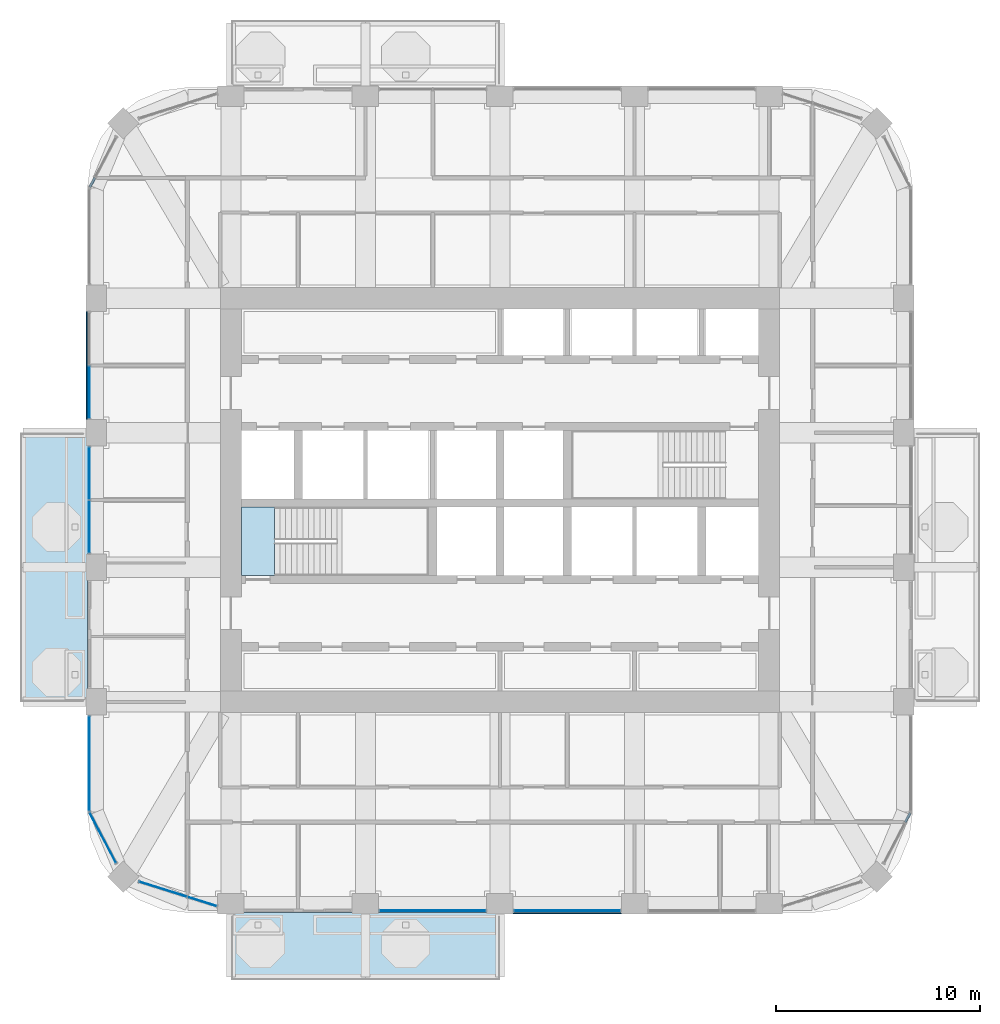
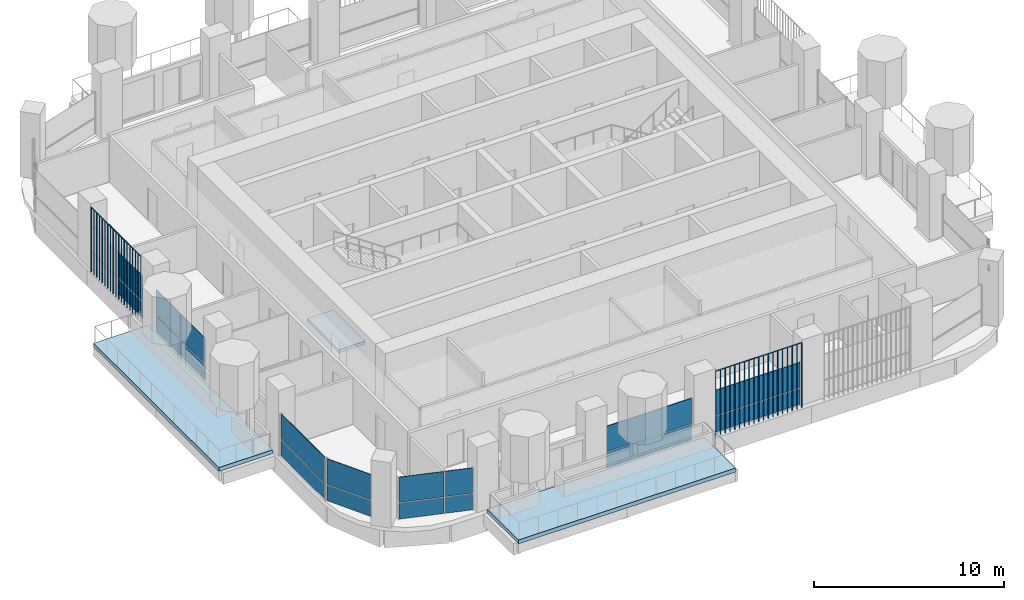
# One storey, part 7 of 19: 20 plates, 3 slabs, 2 members, 10 elements without a shape of their own.
"""IFC4 building model written with IfcOpenShell, lengths in metres."""

from ifc_helpers import new_model, si_unit, direction, frame, origin, origin_2d, place, context, subcontext, project, spatial, polyline, rectangle, outline, extrude, material, layer, layer_set, material_profile, profile_set, type_object, element, aggregate, save


model = new_model("IFC4")

# Units and contexts
model_context = context("Model", 3, precision=1e-05, world=origin(), true_north=direction((0.0, 1.0)))
body_context = subcontext(model_context, "Body", "Model", "MODEL_VIEW")
ifc_project = project(units=[si_unit("LENGTHUNIT", "METRE"), si_unit("AREAUNIT", "SQUARE_METRE"), si_unit("VOLUMEUNIT", "CUBIC_METRE"), si_unit("PLANEANGLEUNIT", "RADIAN"), si_unit("MASSUNIT", "GRAM", prefix="KILO")], contexts=[model_context])

# Site, building, storey
site_placement = place(None, origin())
site = spatial("IfcSite", under=ifc_project, at=site_placement, CompositionType="ELEMENT")
building_placement = place(site_placement, origin())
building = spatial("IfcBuilding", under=site, at=building_placement, Name="Cobogo Forest Laboratory Tower", CompositionType="ELEMENT")
storey_placement = place(building_placement, frame((0.0, 0.0, 237.60009765625)))
storey = spatial("IfcBuildingStorey", under=building, at=storey_placement, Name="L54", CompositionType="ELEMENT", Elevation=237.60009765625)

# Curtain wall, member
ifc_material_1 = material(Name="Aluminium curtain wall", Category="aluminium")
curtain_wall_type = type_object("IfcCurtainWallType", Name="CW-2 unitised curtain wall, solar control glazing, laboratory floors zones C and D", PredefinedType="USERDEFINED", material=ifc_material_1)
curtain_wall_1_placement = place(storey_placement, origin())
curtain_wall_1 = element("IfcCurtainWall", 1, at=curtain_wall_1_placement, inside=storey, type_object=curtain_wall_type, Name="Curtain wall 06 L54", ObjectType="UNITISED CURTAIN WALL", PredefinedType="USERDEFINED")
ifc_material_2 = material(Name="Aluminium transom", Category="aluminium")
ifc_material_profile = material_profile(ifc_material_2, rectangle(XDim=0.1201171875, YDim=0.06005859375, at=origin_2d()), Name="AL 60x120")
ifc_profile_set = profile_set([ifc_material_profile], Name="Aluminium transom")
member_type = type_object("IfcMemberType", Name="TR-1 aluminium transom 60x120", PredefinedType="USERDEFINED", material=ifc_profile_set)
member_1_placement = place(storey_placement, frame((46.282470703125, 7.289306640625, 1.0498046875), z_axis=(0.46414828098, 0.885757513806, 0.0), x_axis=(-0.885757513806, 0.46414828098, 0.0)))
member_1 = element("IfcMember", 2, at=member_1_placement, type_object=member_type, Name="CW-2 transom 2.1", ObjectType="TRANSOM", PredefinedType="USERDEFINED", context=body_context, shape_type="SweptSolid", body=[
    extrude(rectangle(XDim=0.1201171875, YDim=0.06005859375, at=origin_2d()), origin(), (0.0, 0.0, 1.0), 0.5166015625),
])
aggregate(curtain_wall_1, [member_1])

curtain_wall_2_placement = place(storey_placement, origin())
curtain_wall_2 = element("IfcCurtainWall", 3, at=curtain_wall_2_placement, inside=storey, type_object=curtain_wall_type, Name="Curtain wall 19 L54", ObjectType="UNITISED CURTAIN WALL", PredefinedType="USERDEFINED")
member_2_placement = place(storey_placement, frame((6.517578125, 38.91064453125, 1.0498046875), z_axis=(-0.46414828098, -0.885757513806, 0.0), x_axis=(0.885757513806, -0.46414828098, 0.0)))
member_2 = element("IfcMember", 4, at=member_2_placement, type_object=member_type, Name="CW-2 transom 2.1", ObjectType="TRANSOM", PredefinedType="USERDEFINED", context=body_context, shape_type="SweptSolid", body=[
    extrude(rectangle(XDim=0.1201171875, YDim=0.06005859375, at=origin_2d()), origin(), (0.0, 0.0, 1.0), 0.5166015625),
])
aggregate(curtain_wall_2, [member_2])

# Slabs
ifc_material_3 = material(Name="Concrete HA-40 (C40/50)", Category="concrete")
ifc_layer_1 = layer(ifc_material_3, 0.25)
ifc_layer_set_1 = layer_set([ifc_layer_1], Name="Balcony slab 250")
slab_type_1 = type_object("IfcSlabType", Name="Balcony slab 250", PredefinedType="FLOOR", material=ifc_layer_set_1)
slab_1_placement = place(storey_placement, frame((0.0, 0.0, -0.25)))
element("IfcSlab", 5, at=slab_1_placement, inside=storey, type_object=slab_type_1, Name="Balcony BAL-S1 L54", PredefinedType="FLOOR", context=body_context, shape_type="SweptSolid", body=[
    extrude(outline(polyline([(13.199951171875, -0.449951171875), (26.39990234375, -0.449951171875), (26.39990234375, 2.85009765625), (13.199951171875, 2.85009765625), (13.199951171875, -0.449951171875)])), origin(), (0.0, 0.0, 1.0), 0.25),
])
slab_2_placement = place(storey_placement, frame((0.0, 0.0, -0.25)))
element("IfcSlab", 6, at=slab_2_placement, inside=storey, type_object=slab_type_1, Name="Balcony BAL-W1 L54", PredefinedType="FLOOR", context=body_context, shape_type="SweptSolid", body=[
    extrude(outline(polyline([(2.85009765625, 13.199951171875), (6.14990234375, 13.199951171875), (6.14990234375, 26.39990234375), (2.85009765625, 26.39990234375), (2.85009765625, 13.199951171875)])), origin(), (0.0, 0.0, 1.0), 0.25),
])

# Curtain wall, plates
curtain_wall_3_placement = place(storey_placement, origin())
curtain_wall_3 = element("IfcCurtainWall", 7, at=curtain_wall_3_placement, inside=storey, type_object=curtain_wall_type, Name="Curtain wall 02 L54", ObjectType="UNITISED CURTAIN WALL", PredefinedType="USERDEFINED")
ifc_material_4 = material(Name="Solar control insulated glass", Category="glass")
ifc_layer_2 = layer(ifc_material_4, 0.031982421875)
ifc_layer_set_2 = layer_set([ifc_layer_2], Name="GP-2 solar control glass unit 32")
plate_type_1 = type_object("IfcPlateType", Name="GP-2 solar control glass unit 32", PredefinedType="CURTAIN_PANEL", material=ifc_layer_set_2)
plate_1_placement = place(storey_placement, frame((23.10009765625, 2.949951171875, 0.0), z_axis=(0.0, 0.0, 1.0), x_axis=(1.0, 0.0, 0.0)))
plate_1 = element("IfcPlate", 8, at=plate_1_placement, type_object=plate_type_1, Name="CW-2 panel 1.1", PredefinedType="CURTAIN_PANEL", context=body_context, shape_type="SweptSolid", body=[
    extrude(rectangle(XDim=5.179931640625, YDim=0.031982421875, at=origin_2d()), origin(), (0.0, 0.0, 1.0), 1.02001953125),
])
plate_2_placement = place(storey_placement, frame((23.10009765625, 2.949951171875, 1.079833984375), z_axis=(0.0, 0.0, 1.0), x_axis=(1.0, 0.0, 0.0)))
plate_2 = element("IfcPlate", 9, at=plate_2_placement, type_object=plate_type_1, Name="CW-2 panel 1.2", PredefinedType="CURTAIN_PANEL", context=body_context, shape_type="SweptSolid", body=[
    extrude(rectangle(XDim=5.179931640625, YDim=0.031982421875, at=origin_2d()), origin(), (0.0, 0.0, 1.0), 1.6201171875),
])
aggregate(curtain_wall_3, [plate_1, plate_2])

curtain_wall_4_placement = place(storey_placement, origin())
curtain_wall_4 = element("IfcCurtainWall", 10, at=curtain_wall_4_placement, inside=storey, type_object=curtain_wall_type, Name="Curtain wall 03 L54", ObjectType="UNITISED CURTAIN WALL", PredefinedType="USERDEFINED")
plate_3_placement = place(storey_placement, frame((29.699951171875, 2.949951171875, 0.0), z_axis=(0.0, 0.0, 1.0), x_axis=(1.0, 0.0, 0.0)))
plate_3 = element("IfcPlate", 11, at=plate_3_placement, type_object=plate_type_1, Name="CW-2 panel 1.1", PredefinedType="CURTAIN_PANEL", context=body_context, shape_type="SweptSolid", body=[
    extrude(rectangle(XDim=5.179931640625, YDim=0.031982421875, at=origin_2d()), origin(), (0.0, 0.0, 1.0), 1.02001953125),
])
plate_4_placement = place(storey_placement, frame((29.699951171875, 2.949951171875, 1.079833984375), z_axis=(0.0, 0.0, 1.0), x_axis=(1.0, 0.0, 0.0)))
plate_4 = element("IfcPlate", 12, at=plate_4_placement, type_object=plate_type_1, Name="CW-2 panel 1.2", PredefinedType="CURTAIN_PANEL", context=body_context, shape_type="SweptSolid", body=[
    extrude(rectangle(XDim=5.179931640625, YDim=0.031982421875, at=origin_2d()), origin(), (0.0, 0.0, 1.0), 1.6201171875),
])
aggregate(curtain_wall_4, [plate_3, plate_4])

curtain_wall_5_placement = place(storey_placement, origin())
curtain_wall_5 = element("IfcCurtainWall", 13, at=curtain_wall_5_placement, inside=storey, type_object=curtain_wall_type, Name="Curtain wall 21 L54", ObjectType="UNITISED CURTAIN WALL", PredefinedType="USERDEFINED")
plate_5_placement = place(storey_placement, frame((6.25, 28.389892578125, 0.0), z_axis=(0.0, 0.0, 1.0), x_axis=(0.0, -1.0, 0.0)))
plate_5 = element("IfcPlate", 14, at=plate_5_placement, type_object=plate_type_1, Name="CW-2 panel 2.1", PredefinedType="CURTAIN_PANEL", context=body_context, shape_type="SweptSolid", body=[
    extrude(rectangle(XDim=2.56005859375, YDim=0.031982421875, at=origin_2d()), origin(), (0.0, 0.0, 1.0), 1.02001953125),
])
plate_6_placement = place(storey_placement, frame((6.25, 28.389892578125, 1.079833984375), z_axis=(0.0, 0.0, 1.0), x_axis=(0.0, -1.0, 0.0)))
plate_6 = element("IfcPlate", 15, at=plate_6_placement, type_object=plate_type_1, Name="CW-2 panel 2.2", PredefinedType="CURTAIN_PANEL", context=body_context, shape_type="SweptSolid", body=[
    extrude(rectangle(XDim=2.56005859375, YDim=0.031982421875, at=origin_2d()), origin(), (0.0, 0.0, 1.0), 1.6201171875),
])
aggregate(curtain_wall_5, [plate_5, plate_6])

curtain_wall_6_placement = place(storey_placement, origin())
curtain_wall_6 = element("IfcCurtainWall", 16, at=curtain_wall_6_placement, inside=storey, type_object=curtain_wall_type, Name="Curtain wall 22 L54", ObjectType="UNITISED CURTAIN WALL", PredefinedType="USERDEFINED")
plate_7_placement = place(storey_placement, frame((6.25, 24.409912109375, 0.0), z_axis=(0.0, 0.0, 1.0), x_axis=(0.0, -1.0, 0.0)))
plate_7 = element("IfcPlate", 17, at=plate_7_placement, type_object=plate_type_1, Name="CW-2 panel 1.1", PredefinedType="CURTAIN_PANEL", context=body_context, shape_type="SweptSolid", body=[
    extrude(rectangle(XDim=2.56005859375, YDim=0.031982421875, at=origin_2d()), origin(), (0.0, 0.0, 1.0), 1.02001953125),
])
plate_8_placement = place(storey_placement, frame((6.25, 24.409912109375, 1.079833984375), z_axis=(0.0, 0.0, 1.0), x_axis=(0.0, -1.0, 0.0)))
plate_8 = element("IfcPlate", 18, at=plate_8_placement, type_object=plate_type_1, Name="CW-2 panel 1.2", PredefinedType="CURTAIN_PANEL", context=body_context, shape_type="SweptSolid", body=[
    extrude(rectangle(XDim=2.56005859375, YDim=0.031982421875, at=origin_2d()), origin(), (0.0, 0.0, 1.0), 1.6201171875),
])
plate_9_placement = place(storey_placement, frame((6.25, 21.7900390625, 0.0), z_axis=(0.0, 0.0, 1.0), x_axis=(0.0, -1.0, 0.0)))
plate_9 = element("IfcPlate", 19, at=plate_9_placement, type_object=plate_type_1, Name="CW-2 panel 2.1", PredefinedType="CURTAIN_PANEL", context=body_context, shape_type="SweptSolid", body=[
    extrude(rectangle(XDim=2.56005859375, YDim=0.031982421875, at=origin_2d()), origin(), (0.0, 0.0, 1.0), 1.02001953125),
])
plate_10_placement = place(storey_placement, frame((6.25, 21.7900390625, 1.079833984375), z_axis=(0.0, 0.0, 1.0), x_axis=(0.0, -1.0, 0.0)))
plate_10 = element("IfcPlate", 20, at=plate_10_placement, type_object=plate_type_1, Name="CW-2 panel 2.2", PredefinedType="CURTAIN_PANEL", context=body_context, shape_type="SweptSolid", body=[
    extrude(rectangle(XDim=2.56005859375, YDim=0.031982421875, at=origin_2d()), origin(), (0.0, 0.0, 1.0), 1.6201171875),
])
aggregate(curtain_wall_6, [plate_7, plate_8, plate_9, plate_10])

curtain_wall_7_placement = place(storey_placement, origin())
curtain_wall_7 = element("IfcCurtainWall", 21, at=curtain_wall_7_placement, inside=storey, type_object=curtain_wall_type, Name="Curtain wall 24 L54", ObjectType="UNITISED CURTAIN WALL", PredefinedType="USERDEFINED")
plate_11_placement = place(storey_placement, frame((6.25, 10.175048828125, 0.0), z_axis=(0.0, 0.0, 1.0), x_axis=(0.0, -1.0, 0.0)))
plate_11 = element("IfcPlate", 22, at=plate_11_placement, type_object=plate_type_1, Name="CW-2 panel 1.1", PredefinedType="CURTAIN_PANEL", context=body_context, shape_type="SweptSolid", body=[
    extrude(rectangle(XDim=4.6298828125, YDim=0.031982421875, at=origin_2d()), origin(), (0.0, 0.0, 1.0), 1.02001953125),
])
plate_12_placement = place(storey_placement, frame((6.25, 10.175048828125, 1.079833984375), z_axis=(0.0, 0.0, 1.0), x_axis=(0.0, -1.0, 0.0)))
plate_12 = element("IfcPlate", 23, at=plate_12_placement, type_object=plate_type_1, Name="CW-2 panel 1.2", PredefinedType="CURTAIN_PANEL", context=body_context, shape_type="SweptSolid", body=[
    extrude(rectangle(XDim=4.6298828125, YDim=0.031982421875, at=origin_2d()), origin(), (0.0, 0.0, 1.0), 1.6201171875),
])
aggregate(curtain_wall_7, [plate_11, plate_12])

curtain_wall_8_placement = place(storey_placement, origin())
curtain_wall_8 = element("IfcCurtainWall", 24, at=curtain_wall_8_placement, inside=storey, type_object=curtain_wall_type, Name="Curtain wall 25 L54", ObjectType="UNITISED CURTAIN WALL", PredefinedType="USERDEFINED")
plate_13_placement = place(storey_placement, frame((6.918701171875, 6.5244140625, 0.0), z_axis=(0.0, 0.0, 1.0), x_axis=(0.464283804832, -0.885686484356, 0.0)))
plate_13 = element("IfcPlate", 25, at=plate_13_placement, type_object=plate_type_1, Name="CW-2 panel 1.1", PredefinedType="CURTAIN_PANEL", context=body_context, shape_type="SweptSolid", body=[
    extrude(rectangle(XDim=2.76025390625, YDim=0.031982421875, at=origin_2d()), origin(), (0.0, 0.0, 1.0), 1.02001953125),
])
plate_14_placement = place(storey_placement, frame((6.918701171875, 6.5244140625, 1.079833984375), z_axis=(0.0, 0.0, 1.0), x_axis=(0.464283804832, -0.885686484356, 0.0)))
plate_14 = element("IfcPlate", 26, at=plate_14_placement, type_object=plate_type_1, Name="CW-2 panel 1.2", PredefinedType="CURTAIN_PANEL", context=body_context, shape_type="SweptSolid", body=[
    extrude(rectangle(XDim=2.76025390625, YDim=0.031982421875, at=origin_2d()), origin(), (0.0, 0.0, 1.0), 1.6201171875),
])
aggregate(curtain_wall_8, [plate_13, plate_14])

curtain_wall_9_placement = place(storey_placement, origin())
curtain_wall_9 = element("IfcCurtainWall", 27, at=curtain_wall_9_placement, inside=storey, type_object=curtain_wall_type, Name="Curtain wall 26 L54", ObjectType="UNITISED CURTAIN WALL", PredefinedType="USERDEFINED")
plate_15_placement = place(storey_placement, frame((9.8642578125, 4.00341796875, 0.0), z_axis=(0.0, 0.0, 1.0), x_axis=(0.953581331491, -0.301135591107, 0.0)))
plate_15 = element("IfcPlate", 28, at=plate_15_placement, type_object=plate_type_1, Name="CW-2 panel 1.1", PredefinedType="CURTAIN_PANEL", context=body_context, shape_type="SweptSolid", body=[
    extrude(rectangle(XDim=2.428955078125, YDim=0.031982421875, at=origin_2d()), origin(), (0.0, 0.0, 1.0), 1.02001953125),
])
plate_16_placement = place(storey_placement, frame((9.8642578125, 4.00341796875, 1.079833984375), z_axis=(0.0, 0.0, 1.0), x_axis=(0.953581331491, -0.301135591107, 0.0)))
plate_16 = element("IfcPlate", 29, at=plate_16_placement, type_object=plate_type_1, Name="CW-2 panel 1.2", PredefinedType="CURTAIN_PANEL", context=body_context, shape_type="SweptSolid", body=[
    extrude(rectangle(XDim=2.428955078125, YDim=0.031982421875, at=origin_2d()), origin(), (0.0, 0.0, 1.0), 1.6201171875),
])
plate_17_placement = place(storey_placement, frame((11.7861328125, 3.396484375, 0.0), z_axis=(0.0, 0.0, 1.0), x_axis=(0.953581331491, -0.301135591107, 0.0)))
plate_17 = element("IfcPlate", 30, at=plate_17_placement, type_object=plate_type_1, Name="CW-2 panel 2.1", PredefinedType="CURTAIN_PANEL", context=body_context, shape_type="SweptSolid", body=[
    extrude(rectangle(XDim=1.482177734375, YDim=0.031982421875, at=origin_2d()), origin(), (0.0, 0.0, 1.0), 1.02001953125),
])
plate_18_placement = place(storey_placement, frame((11.7861328125, 3.396484375, 1.079833984375), z_axis=(0.0, 0.0, 1.0), x_axis=(0.953581331491, -0.301135591107, 0.0)))
plate_18 = element("IfcPlate", 31, at=plate_18_placement, type_object=plate_type_1, Name="CW-2 panel 2.2", PredefinedType="CURTAIN_PANEL", context=body_context, shape_type="SweptSolid", body=[
    extrude(rectangle(XDim=1.482177734375, YDim=0.031982421875, at=origin_2d()), origin(), (0.0, 0.0, 1.0), 1.6201171875),
])
aggregate(curtain_wall_9, [plate_15, plate_16, plate_17, plate_18])

# Stair, slab
ifc_material_5 = material(Name="Precast concrete HA-40 (C40/50)", Category="concrete")
stair_type = type_object("IfcStairType", Name="ST24 exit stair 24 risers", PredefinedType="HALF_TURN_STAIR", material=ifc_material_5)
stair_placement = place(storey_placement, origin())
stair = element("IfcStair", 32, at=stair_placement, inside=storey, type_object=stair_type, Name="Stair 1 L54 to L55", PredefinedType="HALF_TURN_STAIR")
ifc_layer_3 = layer(ifc_material_3, 0.199951171875)
ifc_layer_set_3 = layer_set([ifc_layer_3], Name="SL stair landing 200")
slab_type_2 = type_object("IfcSlabType", Name="SL stair landing 200", PredefinedType="LANDING", material=ifc_layer_set_3)
slab_3_placement = place(storey_placement, frame((0.0, 0.0, -0.2001953125)))
slab_3 = element("IfcSlab", 33, at=slab_3_placement, type_object=slab_type_2, Name="ST1 landing 1", PredefinedType="LANDING", context=body_context, shape_type="SweptSolid", body=[
    extrude(outline(polyline([(13.72509765625, 19.39990234375), (15.326904296875, 19.39990234375), (15.326904296875, 22.75), (13.72509765625, 22.75), (13.72509765625, 19.39990234375)])), origin(), (0.0, 0.0, 1.0), 0.2001953125),
])
aggregate(stair, [slab_3])

# Plates
ifc_material_6 = material(Name="Terracotta", Category="masonry")
plate_type_2 = type_object("IfcPlateType", Name="TB1 terracotta baguette screen", PredefinedType="USERDEFINED", material=ifc_material_6)
plate_19_placement = place(storey_placement, frame((27.081298828125, 2.822021484375, -0.150146484375)))
element("IfcPlate", 34, at=plate_19_placement, inside=storey, type_object=plate_type_2, Name="Baguette screen S3 L54", ObjectType="BAGUETTE SCREEN", PredefinedType="USERDEFINED", context=body_context, shape_type="SweptSolid", body=[
    extrude(outline(polyline([(0.02880859375, 0.011962890625), (0.011962890625, 0.02880859375), (-0.011962890625, 0.02880859375), (-0.02880859375, 0.011962890625), (-0.02880859375, -0.011962890625), (-0.011962890625, -0.02880859375), (0.011962890625, -0.02880859375), (0.02880859375, -0.011962890625), (0.02880859375, 0.011962890625)])), frame((0.0, 0.0, 4.168701171875), z_axis=(1.0, 0.0, 0.0), x_axis=(0.0, 1.0, 0.0)), (0.0, 0.0, 1.0), 5.237548828125),
    extrude(outline(polyline([(0.02880859375, 0.011962890625), (0.011962890625, 0.02880859375), (-0.011962890625, 0.02880859375), (-0.02880859375, 0.011962890625), (-0.02880859375, -0.011962890625), (-0.011962890625, -0.02880859375), (0.011962890625, -0.02880859375), (0.02880859375, -0.011962890625), (0.02880859375, 0.011962890625)])), origin(), (0.0, 0.0, 1.0), 4.137451171875),
    extrude(outline(polyline([(0.02880859375, 0.011962890625), (0.011962890625, 0.02880859375), (-0.011962890625, 0.02880859375), (-0.02880859375, 0.011962890625), (-0.02880859375, -0.011962890625), (-0.011962890625, -0.02880859375), (0.011962890625, -0.02880859375), (0.02880859375, -0.011962890625), (0.02880859375, 0.011962890625)])), frame((0.291015625, 0.0, 0.0)), (0.0, 0.0, 1.0), 4.137451171875),
    extrude(outline(polyline([(0.02880859375, 0.011962890625), (0.011962890625, 0.02880859375), (-0.011962890625, 0.02880859375), (-0.02880859375, 0.011962890625), (-0.02880859375, -0.011962890625), (-0.011962890625, -0.02880859375), (0.011962890625, -0.02880859375), (0.02880859375, -0.011962890625), (0.02880859375, 0.011962890625)])), frame((0.58203125, 0.0, 0.0)), (0.0, 0.0, 1.0), 4.137451171875),
    extrude(outline(polyline([(0.02880859375, 0.011962890625), (0.011962890625, 0.02880859375), (-0.011962890625, 0.02880859375), (-0.02880859375, 0.011962890625), (-0.02880859375, -0.011962890625), (-0.011962890625, -0.02880859375), (0.011962890625, -0.02880859375), (0.02880859375, -0.011962890625), (0.02880859375, 0.011962890625)])), frame((0.873046875, 0.0, 0.0)), (0.0, 0.0, 1.0), 4.137451171875),
    extrude(outline(polyline([(0.02880859375, 0.011962890625), (0.011962890625, 0.02880859375), (-0.011962890625, 0.02880859375), (-0.02880859375, 0.011962890625), (-0.02880859375, -0.011962890625), (-0.011962890625, -0.02880859375), (0.011962890625, -0.02880859375), (0.02880859375, -0.011962890625), (0.02880859375, 0.011962890625)])), frame((1.163818359375, 0.0, 0.0)), (0.0, 0.0, 1.0), 4.137451171875),
    extrude(outline(polyline([(0.02880859375, 0.011962890625), (0.011962890625, 0.02880859375), (-0.011962890625, 0.02880859375), (-0.02880859375, 0.011962890625), (-0.02880859375, -0.011962890625), (-0.011962890625, -0.02880859375), (0.011962890625, -0.02880859375), (0.02880859375, -0.011962890625), (0.02880859375, 0.011962890625)])), frame((1.454833984375, 0.0, 0.0)), (0.0, 0.0, 1.0), 4.137451171875),
    extrude(outline(polyline([(0.02880859375, 0.011962890625), (0.011962890625, 0.02880859375), (-0.011962890625, 0.02880859375), (-0.02880859375, 0.011962890625), (-0.02880859375, -0.011962890625), (-0.011962890625, -0.02880859375), (0.011962890625, -0.02880859375), (0.02880859375, -0.011962890625), (0.02880859375, 0.011962890625)])), frame((1.745849609375, 0.0, 0.0)), (0.0, 0.0, 1.0), 4.137451171875),
    extrude(outline(polyline([(0.02880859375, 0.011962890625), (0.011962890625, 0.02880859375), (-0.011962890625, 0.02880859375), (-0.02880859375, 0.011962890625), (-0.02880859375, -0.011962890625), (-0.011962890625, -0.02880859375), (0.011962890625, -0.02880859375), (0.02880859375, -0.011962890625), (0.02880859375, 0.011962890625)])), frame((2.036865234375, 0.0, 0.0)), (0.0, 0.0, 1.0), 4.137451171875),
    extrude(outline(polyline([(0.02880859375, 0.011962890625), (0.011962890625, 0.02880859375), (-0.011962890625, 0.02880859375), (-0.02880859375, 0.011962890625), (-0.02880859375, -0.011962890625), (-0.011962890625, -0.02880859375), (0.011962890625, -0.02880859375), (0.02880859375, -0.011962890625), (0.02880859375, 0.011962890625)])), frame((2.327880859375, 0.0, 0.0)), (0.0, 0.0, 1.0), 4.137451171875),
    extrude(outline(polyline([(0.02880859375, 0.011962890625), (0.011962890625, 0.02880859375), (-0.011962890625, 0.02880859375), (-0.02880859375, 0.011962890625), (-0.02880859375, -0.011962890625), (-0.011962890625, -0.02880859375), (0.011962890625, -0.02880859375), (0.02880859375, -0.011962890625), (0.02880859375, 0.011962890625)])), frame((2.61865234375, 0.0, 0.0)), (0.0, 0.0, 1.0), 4.137451171875),
    extrude(outline(polyline([(0.02880859375, 0.011962890625), (0.011962890625, 0.02880859375), (-0.011962890625, 0.02880859375), (-0.02880859375, 0.011962890625), (-0.02880859375, -0.011962890625), (-0.011962890625, -0.02880859375), (0.011962890625, -0.02880859375), (0.02880859375, -0.011962890625), (0.02880859375, 0.011962890625)])), frame((2.90966796875, 0.0, 0.0)), (0.0, 0.0, 1.0), 4.137451171875),
    extrude(outline(polyline([(0.02880859375, 0.011962890625), (0.011962890625, 0.02880859375), (-0.011962890625, 0.02880859375), (-0.02880859375, 0.011962890625), (-0.02880859375, -0.011962890625), (-0.011962890625, -0.02880859375), (0.011962890625, -0.02880859375), (0.02880859375, -0.011962890625), (0.02880859375, 0.011962890625)])), frame((3.20068359375, 0.0, 0.0)), (0.0, 0.0, 1.0), 4.137451171875),
    extrude(outline(polyline([(0.02880859375, 0.011962890625), (0.011962890625, 0.02880859375), (-0.011962890625, 0.02880859375), (-0.02880859375, 0.011962890625), (-0.02880859375, -0.011962890625), (-0.011962890625, -0.02880859375), (0.011962890625, -0.02880859375), (0.02880859375, -0.011962890625), (0.02880859375, 0.011962890625)])), frame((3.49169921875, 0.0, 0.0)), (0.0, 0.0, 1.0), 4.137451171875),
    extrude(outline(polyline([(0.02880859375, 0.011962890625), (0.011962890625, 0.02880859375), (-0.011962890625, 0.02880859375), (-0.02880859375, 0.011962890625), (-0.02880859375, -0.011962890625), (-0.011962890625, -0.02880859375), (0.011962890625, -0.02880859375), (0.02880859375, -0.011962890625), (0.02880859375, 0.011962890625)])), frame((3.78271484375, 0.0, 0.0)), (0.0, 0.0, 1.0), 4.137451171875),
    extrude(outline(polyline([(0.02880859375, 0.011962890625), (0.011962890625, 0.02880859375), (-0.011962890625, 0.02880859375), (-0.02880859375, 0.011962890625), (-0.02880859375, -0.011962890625), (-0.011962890625, -0.02880859375), (0.011962890625, -0.02880859375), (0.02880859375, -0.011962890625), (0.02880859375, 0.011962890625)])), frame((4.07373046875, 0.0, 0.0)), (0.0, 0.0, 1.0), 4.137451171875),
    extrude(outline(polyline([(0.02880859375, 0.011962890625), (0.011962890625, 0.02880859375), (-0.011962890625, 0.02880859375), (-0.02880859375, 0.011962890625), (-0.02880859375, -0.011962890625), (-0.011962890625, -0.02880859375), (0.011962890625, -0.02880859375), (0.02880859375, -0.011962890625), (0.02880859375, 0.011962890625)])), frame((4.36474609375, 0.0, 0.0)), (0.0, 0.0, 1.0), 4.137451171875),
    extrude(outline(polyline([(0.02880859375, 0.011962890625), (0.011962890625, 0.02880859375), (-0.011962890625, 0.02880859375), (-0.02880859375, 0.011962890625), (-0.02880859375, -0.011962890625), (-0.011962890625, -0.02880859375), (0.011962890625, -0.02880859375), (0.02880859375, -0.011962890625), (0.02880859375, 0.011962890625)])), frame((4.655517578125, 0.0, 0.0)), (0.0, 0.0, 1.0), 4.137451171875),
    extrude(outline(polyline([(0.02880859375, 0.011962890625), (0.011962890625, 0.02880859375), (-0.011962890625, 0.02880859375), (-0.02880859375, 0.011962890625), (-0.02880859375, -0.011962890625), (-0.011962890625, -0.02880859375), (0.011962890625, -0.02880859375), (0.02880859375, -0.011962890625), (0.02880859375, 0.011962890625)])), frame((4.946533203125, 0.0, 0.0)), (0.0, 0.0, 1.0), 4.137451171875),
    extrude(outline(polyline([(0.02880859375, 0.011962890625), (0.011962890625, 0.02880859375), (-0.011962890625, 0.02880859375), (-0.02880859375, 0.011962890625), (-0.02880859375, -0.011962890625), (-0.011962890625, -0.02880859375), (0.011962890625, -0.02880859375), (0.02880859375, -0.011962890625), (0.02880859375, 0.011962890625)])), frame((5.237548828125, 0.0, 0.0)), (0.0, 0.0, 1.0), 4.137451171875),
])
plate_20_placement = place(storey_placement, frame((6.1220703125, 27.081298828125, -0.150146484375)))
element("IfcPlate", 35, at=plate_20_placement, inside=storey, type_object=plate_type_2, Name="Baguette screen W3 L54", ObjectType="BAGUETTE SCREEN", PredefinedType="USERDEFINED", context=body_context, shape_type="SweptSolid", body=[
    extrude(outline(polyline([(0.02880859375, 0.011962890625), (0.011962890625, 0.02880859375), (-0.011962890625, 0.02880859375), (-0.02880859375, 0.011962890625), (-0.02880859375, -0.011962890625), (-0.011962890625, -0.02880859375), (0.011962890625, -0.02880859375), (0.02880859375, -0.011962890625), (0.02880859375, 0.011962890625)])), frame((0.0, 0.0, 4.168701171875), z_axis=(0.0, 1.0, 0.0), x_axis=(-1.0, 0.0, 0.0)), (0.0, 0.0, 1.0), 5.237548828125),
    extrude(outline(polyline([(0.02880859375, 0.011962890625), (0.011962890625, 0.02880859375), (-0.011962890625, 0.02880859375), (-0.02880859375, 0.011962890625), (-0.02880859375, -0.011962890625), (-0.011962890625, -0.02880859375), (0.011962890625, -0.02880859375), (0.02880859375, -0.011962890625), (0.02880859375, 0.011962890625)])), origin(), (0.0, 0.0, 1.0), 4.137451171875),
    extrude(outline(polyline([(0.02880859375, 0.011962890625), (0.011962890625, 0.02880859375), (-0.011962890625, 0.02880859375), (-0.02880859375, 0.011962890625), (-0.02880859375, -0.011962890625), (-0.011962890625, -0.02880859375), (0.011962890625, -0.02880859375), (0.02880859375, -0.011962890625), (0.02880859375, 0.011962890625)])), frame((0.0, 0.291015625, 0.0)), (0.0, 0.0, 1.0), 4.137451171875),
    extrude(outline(polyline([(0.02880859375, 0.011962890625), (0.011962890625, 0.02880859375), (-0.011962890625, 0.02880859375), (-0.02880859375, 0.011962890625), (-0.02880859375, -0.011962890625), (-0.011962890625, -0.02880859375), (0.011962890625, -0.02880859375), (0.02880859375, -0.011962890625), (0.02880859375, 0.011962890625)])), frame((0.0, 0.58203125, 0.0)), (0.0, 0.0, 1.0), 4.137451171875),
    extrude(outline(polyline([(0.02880859375, 0.011962890625), (0.011962890625, 0.02880859375), (-0.011962890625, 0.02880859375), (-0.02880859375, 0.011962890625), (-0.02880859375, -0.011962890625), (-0.011962890625, -0.02880859375), (0.011962890625, -0.02880859375), (0.02880859375, -0.011962890625), (0.02880859375, 0.011962890625)])), frame((0.0, 0.873046875, 0.0)), (0.0, 0.0, 1.0), 4.137451171875),
    extrude(outline(polyline([(0.02880859375, 0.011962890625), (0.011962890625, 0.02880859375), (-0.011962890625, 0.02880859375), (-0.02880859375, 0.011962890625), (-0.02880859375, -0.011962890625), (-0.011962890625, -0.02880859375), (0.011962890625, -0.02880859375), (0.02880859375, -0.011962890625), (0.02880859375, 0.011962890625)])), frame((0.0, 1.163818359375, 0.0)), (0.0, 0.0, 1.0), 4.137451171875),
    extrude(outline(polyline([(0.02880859375, 0.011962890625), (0.011962890625, 0.02880859375), (-0.011962890625, 0.02880859375), (-0.02880859375, 0.011962890625), (-0.02880859375, -0.011962890625), (-0.011962890625, -0.02880859375), (0.011962890625, -0.02880859375), (0.02880859375, -0.011962890625), (0.02880859375, 0.011962890625)])), frame((0.0, 1.454833984375, 0.0)), (0.0, 0.0, 1.0), 4.137451171875),
    extrude(outline(polyline([(0.02880859375, 0.011962890625), (0.011962890625, 0.02880859375), (-0.011962890625, 0.02880859375), (-0.02880859375, 0.011962890625), (-0.02880859375, -0.011962890625), (-0.011962890625, -0.02880859375), (0.011962890625, -0.02880859375), (0.02880859375, -0.011962890625), (0.02880859375, 0.011962890625)])), frame((0.0, 1.745849609375, 0.0)), (0.0, 0.0, 1.0), 4.137451171875),
    extrude(outline(polyline([(0.02880859375, 0.011962890625), (0.011962890625, 0.02880859375), (-0.011962890625, 0.02880859375), (-0.02880859375, 0.011962890625), (-0.02880859375, -0.011962890625), (-0.011962890625, -0.02880859375), (0.011962890625, -0.02880859375), (0.02880859375, -0.011962890625), (0.02880859375, 0.011962890625)])), frame((0.0, 2.036865234375, 0.0)), (0.0, 0.0, 1.0), 4.137451171875),
    extrude(outline(polyline([(0.02880859375, 0.011962890625), (0.011962890625, 0.02880859375), (-0.011962890625, 0.02880859375), (-0.02880859375, 0.011962890625), (-0.02880859375, -0.011962890625), (-0.011962890625, -0.02880859375), (0.011962890625, -0.02880859375), (0.02880859375, -0.011962890625), (0.02880859375, 0.011962890625)])), frame((0.0, 2.327880859375, 0.0)), (0.0, 0.0, 1.0), 4.137451171875),
    extrude(outline(polyline([(0.02880859375, 0.011962890625), (0.011962890625, 0.02880859375), (-0.011962890625, 0.02880859375), (-0.02880859375, 0.011962890625), (-0.02880859375, -0.011962890625), (-0.011962890625, -0.02880859375), (0.011962890625, -0.02880859375), (0.02880859375, -0.011962890625), (0.02880859375, 0.011962890625)])), frame((0.0, 2.61865234375, 0.0)), (0.0, 0.0, 1.0), 4.137451171875),
    extrude(outline(polyline([(0.02880859375, 0.011962890625), (0.011962890625, 0.02880859375), (-0.011962890625, 0.02880859375), (-0.02880859375, 0.011962890625), (-0.02880859375, -0.011962890625), (-0.011962890625, -0.02880859375), (0.011962890625, -0.02880859375), (0.02880859375, -0.011962890625), (0.02880859375, 0.011962890625)])), frame((0.0, 2.90966796875, 0.0)), (0.0, 0.0, 1.0), 4.137451171875),
    extrude(outline(polyline([(0.02880859375, 0.011962890625), (0.011962890625, 0.02880859375), (-0.011962890625, 0.02880859375), (-0.02880859375, 0.011962890625), (-0.02880859375, -0.011962890625), (-0.011962890625, -0.02880859375), (0.011962890625, -0.02880859375), (0.02880859375, -0.011962890625), (0.02880859375, 0.011962890625)])), frame((0.0, 3.20068359375, 0.0)), (0.0, 0.0, 1.0), 4.137451171875),
    extrude(outline(polyline([(0.02880859375, 0.011962890625), (0.011962890625, 0.02880859375), (-0.011962890625, 0.02880859375), (-0.02880859375, 0.011962890625), (-0.02880859375, -0.011962890625), (-0.011962890625, -0.02880859375), (0.011962890625, -0.02880859375), (0.02880859375, -0.011962890625), (0.02880859375, 0.011962890625)])), frame((0.0, 3.49169921875, 0.0)), (0.0, 0.0, 1.0), 4.137451171875),
    extrude(outline(polyline([(0.02880859375, 0.011962890625), (0.011962890625, 0.02880859375), (-0.011962890625, 0.02880859375), (-0.02880859375, 0.011962890625), (-0.02880859375, -0.011962890625), (-0.011962890625, -0.02880859375), (0.011962890625, -0.02880859375), (0.02880859375, -0.011962890625), (0.02880859375, 0.011962890625)])), frame((0.0, 3.78271484375, 0.0)), (0.0, 0.0, 1.0), 4.137451171875),
    extrude(outline(polyline([(0.02880859375, 0.011962890625), (0.011962890625, 0.02880859375), (-0.011962890625, 0.02880859375), (-0.02880859375, 0.011962890625), (-0.02880859375, -0.011962890625), (-0.011962890625, -0.02880859375), (0.011962890625, -0.02880859375), (0.02880859375, -0.011962890625), (0.02880859375, 0.011962890625)])), frame((0.0, 4.07373046875, 0.0)), (0.0, 0.0, 1.0), 4.137451171875),
    extrude(outline(polyline([(0.02880859375, 0.011962890625), (0.011962890625, 0.02880859375), (-0.011962890625, 0.02880859375), (-0.02880859375, 0.011962890625), (-0.02880859375, -0.011962890625), (-0.011962890625, -0.02880859375), (0.011962890625, -0.02880859375), (0.02880859375, -0.011962890625), (0.02880859375, 0.011962890625)])), frame((0.0, 4.36474609375, 0.0)), (0.0, 0.0, 1.0), 4.137451171875),
    extrude(outline(polyline([(0.02880859375, 0.011962890625), (0.011962890625, 0.02880859375), (-0.011962890625, 0.02880859375), (-0.02880859375, 0.011962890625), (-0.02880859375, -0.011962890625), (-0.011962890625, -0.02880859375), (0.011962890625, -0.02880859375), (0.02880859375, -0.011962890625), (0.02880859375, 0.011962890625)])), frame((0.0, 4.655517578125, 0.0)), (0.0, 0.0, 1.0), 4.137451171875),
    extrude(outline(polyline([(0.02880859375, 0.011962890625), (0.011962890625, 0.02880859375), (-0.011962890625, 0.02880859375), (-0.02880859375, 0.011962890625), (-0.02880859375, -0.011962890625), (-0.011962890625, -0.02880859375), (0.011962890625, -0.02880859375), (0.02880859375, -0.011962890625), (0.02880859375, 0.011962890625)])), frame((0.0, 4.946533203125, 0.0)), (0.0, 0.0, 1.0), 4.137451171875),
    extrude(outline(polyline([(0.02880859375, 0.011962890625), (0.011962890625, 0.02880859375), (-0.011962890625, 0.02880859375), (-0.02880859375, 0.011962890625), (-0.02880859375, -0.011962890625), (-0.011962890625, -0.02880859375), (0.011962890625, -0.02880859375), (0.02880859375, -0.011962890625), (0.02880859375, 0.011962890625)])), frame((0.0, 5.237548828125, 0.0)), (0.0, 0.0, 1.0), 4.137451171875),
])

save(model, "model.ifc")
